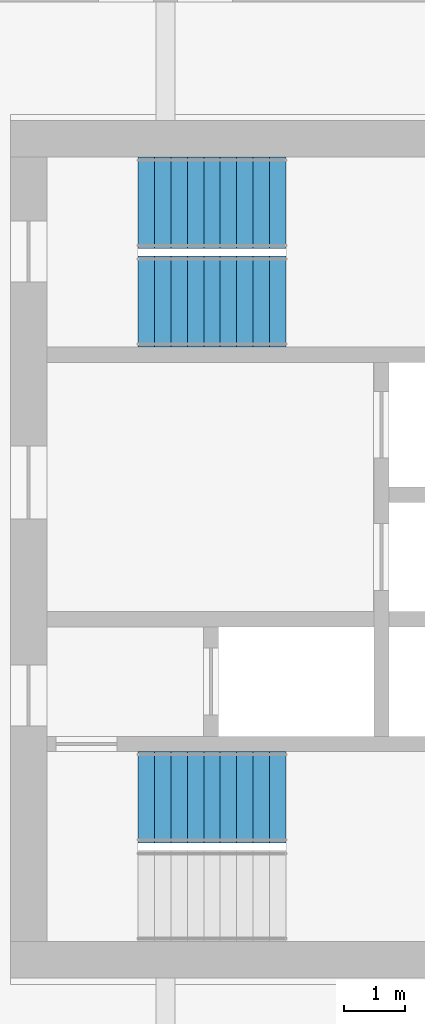
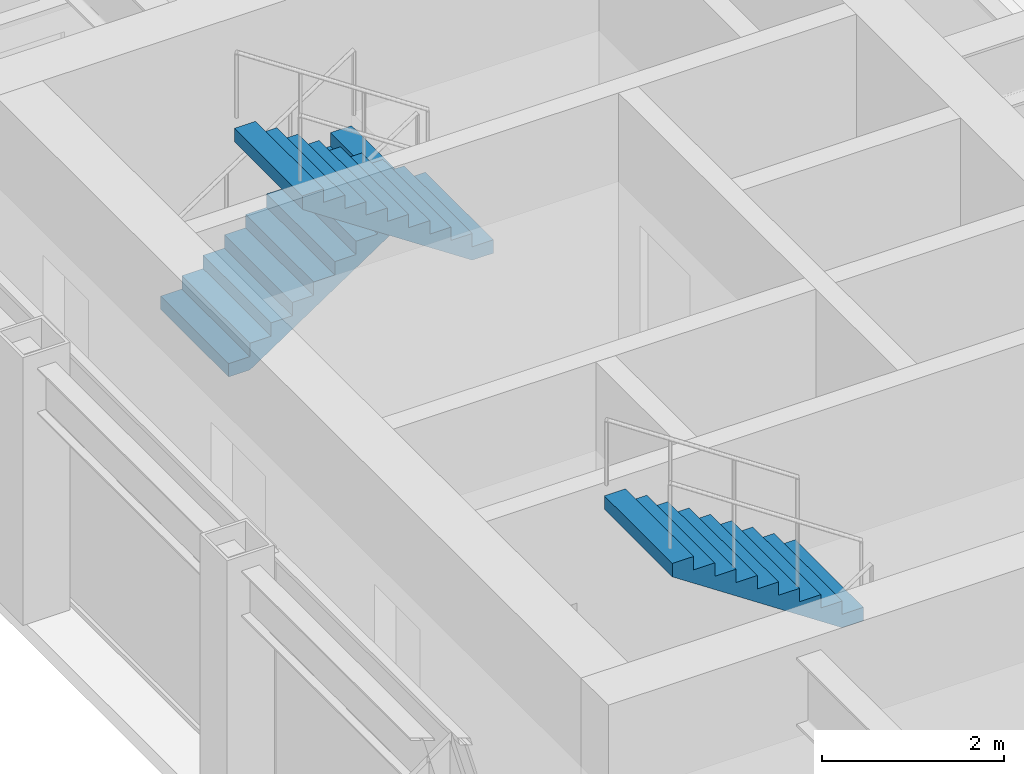
# One storey, part 14 of 17: 3 stair flights, 2 elements without a shape of their own.
"""IFC4 building model written with IfcOpenShell, lengths in metres."""

from ifc_helpers import new_model, si_unit, direction, frame, origin, place, context, subcontext, project, spatial, polyline, outline, extrude, material, type_object, element, aggregate, save


model = new_model("IFC4")

# Units and contexts
model_context = context("Model", 3, precision=1e-05, world=origin(), true_north=direction((0.0, 1.0)))
body_context = subcontext(model_context, "Body", "Model", "MODEL_VIEW")
ifc_project = project(units=[si_unit("LENGTHUNIT", "METRE"), si_unit("AREAUNIT", "SQUARE_METRE"), si_unit("VOLUMEUNIT", "CUBIC_METRE"), si_unit("PLANEANGLEUNIT", "RADIAN"), si_unit("MASSUNIT", "GRAM", prefix="KILO")], contexts=[model_context])

# Site, building, storey
site_placement = place(None, origin())
site = spatial("IfcSite", under=ifc_project, at=site_placement, CompositionType="ELEMENT")
building_placement = place(site_placement, origin())
building = spatial("IfcBuilding", under=site, at=building_placement, Name="Msasa Ring Tower", CompositionType="ELEMENT")
storey_placement = place(building_placement, frame((0.0, 0.0, 132.800048828125)))
storey = spatial("IfcBuildingStorey", under=building, at=storey_placement, Name="L34", CompositionType="ELEMENT", Elevation=132.800048828125)

# Stair, stair flight
ifc_material_1 = material(Name="Concrete C40/50", Category="concrete")
stair_type = type_object("IfcStairType", Name="STC CORE STAIR 20 RISERS 180", PredefinedType="HALF_TURN_STAIR", material=ifc_material_1)
stair_1_placement = place(storey_placement, origin())
stair_1 = element("IfcStair", 1, at=stair_1_placement, inside=storey, type_object=stair_type, Name="Core stair SEA L34", PredefinedType="HALF_TURN_STAIR")
ifc_material_2 = material(Name="Concrete C40/50", Category="concrete")
stair_flight_type = type_object("IfcStairFlightType", Name="ST14 CORE STAIR FLIGHT 1500 10 RISERS 180", PredefinedType="STRAIGHT", material=ifc_material_2)
stair_flight_1_placement = place(storey_placement, frame((13.22998046875, -4.074951171875, 1.800048828125), z_axis=(0.0, 0.0, 1.0), x_axis=(-1.0, 0.0, 0.0)))
stair_flight_1 = element("IfcStairFlight", 2, at=stair_flight_1_placement, type_object=stair_flight_type, Name="SEA flight 2", NumberOfRisers=10, NumberOfTreads=9, PredefinedType="STRAIGHT", RiserHeight=0.18, TreadLength=0.27, context=body_context, shape_type="SweptSolid", body=[
    extrude(outline(polyline([(0.0, 0.0), (0.0, 0.179931640625), (0.27001953125, 0.179931640625), (0.27001953125, 0.360107421875), (0.5400390625, 0.360107421875), (0.5400390625, 0.5400390625), (0.81005859375, 0.5400390625), (0.81005859375, 0.719970703125), (1.080078125, 0.719970703125), (1.080078125, 0.89990234375), (1.35009765625, 0.89990234375), (1.35009765625, 1.080078125), (1.6201171875, 1.080078125), (1.6201171875, 1.260009765625), (1.889892578125, 1.260009765625), (1.889892578125, 1.43994140625), (2.159912109375, 1.43994140625), (2.159912109375, 1.6201171875), (2.429931640625, 1.6201171875), (2.429931640625, 1.800048828125), (2.429931640625, 1.43994140625), (0.270263671875, 0.0), (0.0, 0.0)])), frame((0.0, 0.75, 0.0), z_axis=(0.0, -1.0, 0.0), x_axis=(1.0, 0.0, 0.0)), (0.0, 0.0, 1.0), 1.5),
])
aggregate(stair_1, [stair_flight_1])

# Stair, stair flights
stair_2_placement = place(storey_placement, origin())
stair_2 = element("IfcStair", 3, at=stair_2_placement, inside=storey, type_object=stair_type, Name="Core stair SEB L34", PredefinedType="HALF_TURN_STAIR")
stair_flight_2_placement = place(storey_placement, frame((10.800048828125, 5.699951171875, 0.0), z_axis=(0.0, 0.0, 1.0), x_axis=(1.0, 0.0, 0.0)))
stair_flight_2 = element("IfcStairFlight", 4, at=stair_flight_2_placement, type_object=stair_flight_type, Name="SEB flight 1", NumberOfRisers=10, NumberOfTreads=9, PredefinedType="STRAIGHT", RiserHeight=0.18, TreadLength=0.27, context=body_context, shape_type="SweptSolid", body=[
    extrude(outline(polyline([(0.0, 0.0), (0.0, 0.179931640625), (0.27001953125, 0.179931640625), (0.27001953125, 0.360107421875), (0.5400390625, 0.360107421875), (0.5400390625, 0.5400390625), (0.81005859375, 0.5400390625), (0.81005859375, 0.719970703125), (1.080078125, 0.719970703125), (1.080078125, 0.89990234375), (1.35009765625, 0.89990234375), (1.35009765625, 1.080078125), (1.6201171875, 1.080078125), (1.6201171875, 1.260009765625), (1.889892578125, 1.260009765625), (1.889892578125, 1.43994140625), (2.159912109375, 1.43994140625), (2.159912109375, 1.6201171875), (2.429931640625, 1.6201171875), (2.429931640625, 1.800048828125), (2.429931640625, 1.43994140625), (0.270263671875, 0.0), (0.0, 0.0)])), frame((0.0, 0.75, 0.0), z_axis=(0.0, -1.0, 0.0), x_axis=(1.0, 0.0, 0.0)), (0.0, 0.0, 1.0), 1.5),
])
stair_flight_3_placement = place(storey_placement, frame((13.22998046875, 4.074951171875, 1.800048828125), z_axis=(0.0, 0.0, 1.0), x_axis=(-1.0, 0.0, 0.0)))
stair_flight_3 = element("IfcStairFlight", 5, at=stair_flight_3_placement, type_object=stair_flight_type, Name="SEB flight 2", NumberOfRisers=10, NumberOfTreads=9, PredefinedType="STRAIGHT", RiserHeight=0.18, TreadLength=0.27, context=body_context, shape_type="SweptSolid", body=[
    extrude(outline(polyline([(0.0, 0.0), (0.0, 0.179931640625), (0.27001953125, 0.179931640625), (0.27001953125, 0.360107421875), (0.5400390625, 0.360107421875), (0.5400390625, 0.5400390625), (0.81005859375, 0.5400390625), (0.81005859375, 0.719970703125), (1.080078125, 0.719970703125), (1.080078125, 0.89990234375), (1.35009765625, 0.89990234375), (1.35009765625, 1.080078125), (1.6201171875, 1.080078125), (1.6201171875, 1.260009765625), (1.889892578125, 1.260009765625), (1.889892578125, 1.43994140625), (2.159912109375, 1.43994140625), (2.159912109375, 1.6201171875), (2.429931640625, 1.6201171875), (2.429931640625, 1.800048828125), (2.429931640625, 1.43994140625), (0.270263671875, 0.0), (0.0, 0.0)])), frame((0.0, 0.75, 0.0), z_axis=(0.0, -1.0, 0.0), x_axis=(1.0, 0.0, 0.0)), (0.0, 0.0, 1.0), 1.5),
])
aggregate(stair_2, [stair_flight_2, stair_flight_3])

save(model, "model.ifc")
